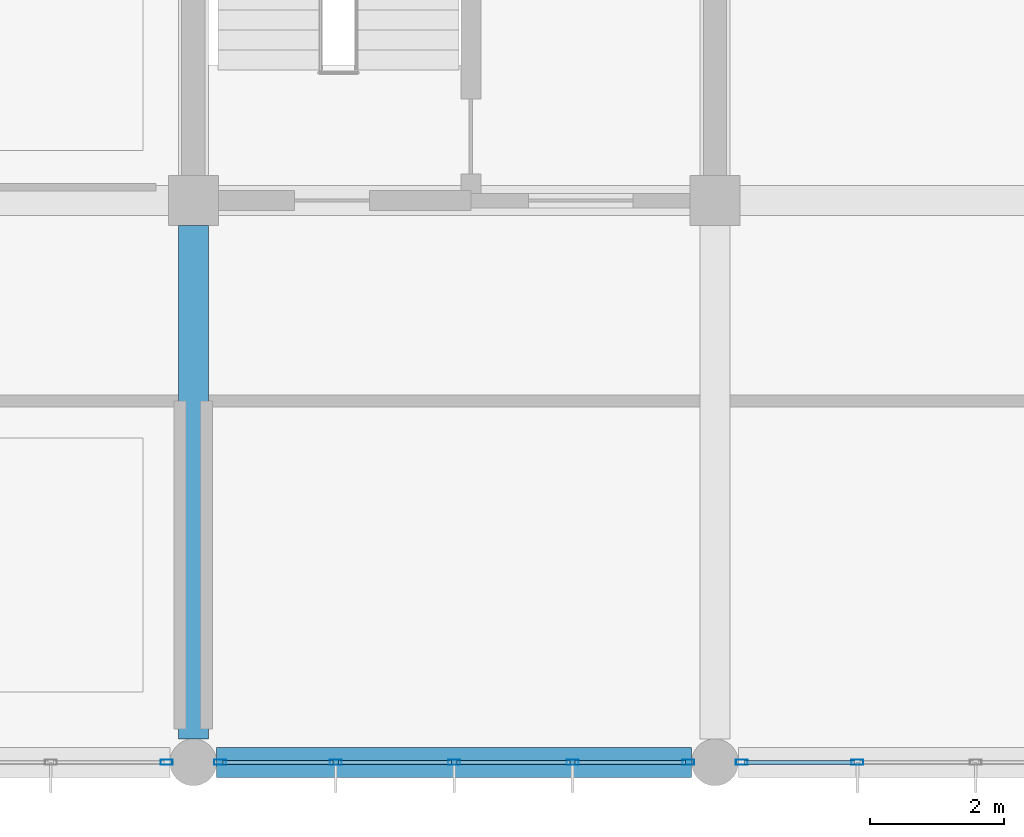
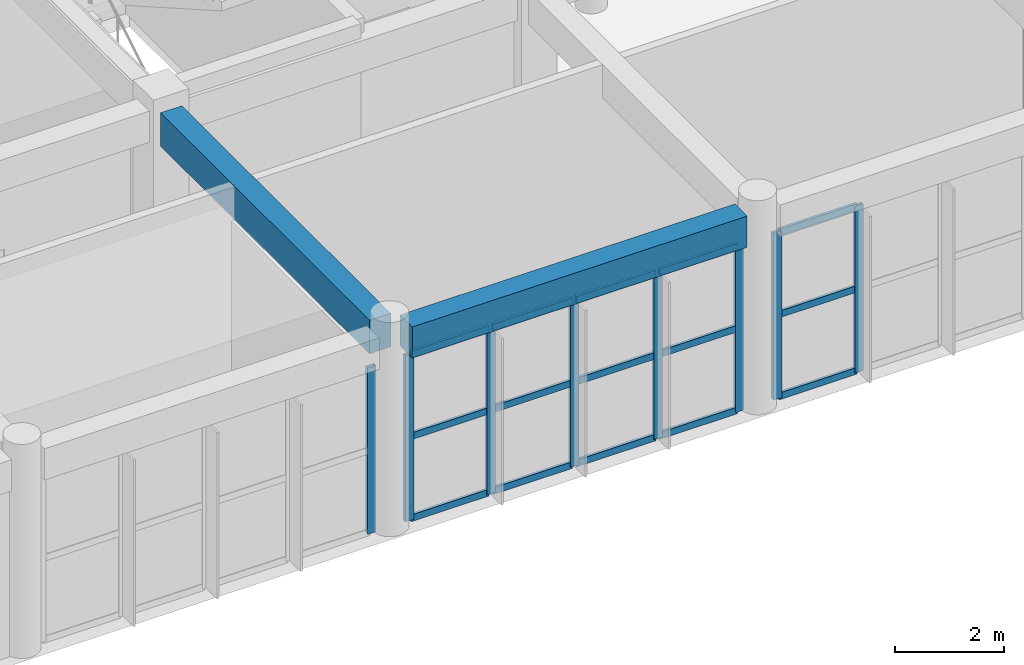
# One storey, part 30 of 167: 23 members, 2 beams, 3 elements without a shape of their own.
"""IFC4 building model written with IfcOpenShell, lengths in metres."""

from ifc_helpers import new_model, si_unit, direction, frame, origin, origin_2d, place, context, subcontext, project, spatial, rectangle, hollow_rectangle, extrude, material, layer, layer_set, material_profile, profile_set, type_object, element, aggregate, save


model = new_model("IFC4")

# Units and contexts
model_context = context("Model", 3, precision=1e-05, world=origin(), true_north=direction((0.0, 1.0)))
body_context = subcontext(model_context, "Body", "Model", "MODEL_VIEW")
ifc_project = project(units=[si_unit("LENGTHUNIT", "METRE"), si_unit("AREAUNIT", "SQUARE_METRE"), si_unit("VOLUMEUNIT", "CUBIC_METRE"), si_unit("PLANEANGLEUNIT", "RADIAN"), si_unit("MASSUNIT", "GRAM", prefix="KILO")], contexts=[model_context])

# Site, building, storey
site_placement = place(None, origin())
site = spatial("IfcSite", under=ifc_project, at=site_placement, CompositionType="ELEMENT")
building_placement = place(site_placement, origin())
building = spatial("IfcBuilding", under=site, at=building_placement, Name="Zizhar Promenade General Hospital", CompositionType="ELEMENT")
storey_placement = place(building_placement, frame((0.0, 0.0, 9.60009765625)))
storey = spatial("IfcBuildingStorey", under=building, at=storey_placement, Name="L02", CompositionType="ELEMENT", Elevation=9.60009765625)

# Beams
ifc_material_1 = material(Name="Concrete C35/45", Category="concrete")
ifc_material_profile_1 = material_profile(ifc_material_1, rectangle(XDim=0.449951171875, YDim=0.699951171875, at=origin_2d()))
ifc_profile_set_1 = profile_set([ifc_material_profile_1], Name="Concrete C35/45")
beam_type_1 = type_object("IfcBeamType", Name="BM-RC-450x700", PredefinedType="BEAM", material=ifc_profile_set_1)
beam_1_placement = place(storey_placement, frame((93.949951171875, 0.0, 4.119873046875), z_axis=(1.0, 0.0, 0.0), x_axis=(0.0, 1.0, 0.0)))
element("IfcBeam", 1, at=beam_1_placement, inside=storey, type_object=beam_type_1, Name="Grid Beam X L02 (12-0)", PredefinedType="BEAM", context=body_context, shape_type="SweptSolid", body=[
    extrude(rectangle(XDim=0.449951171875, YDim=0.699951171875, at=origin_2d()), origin(), (0.0, 0.0, 1.0), 7.10009765625),
])
ifc_material_2 = material(Name="Concrete C35/45", Category="concrete")
ifc_material_profile_2 = material_profile(ifc_material_2, rectangle(XDim=0.449951171875, YDim=0.75, at=origin_2d()))
ifc_profile_set_2 = profile_set([ifc_material_profile_2], Name="Concrete C35/45")
beam_type_2 = type_object("IfcBeamType", Name="BM-RC-450x750", PredefinedType="BEAM", material=ifc_profile_set_2)
beam_2_placement = place(storey_placement, frame((93.60009765625, 0.35009765625, 4.094970703125), z_axis=(0.0, 1.0, 0.0), x_axis=(-1.0, 0.0, 0.0)))
element("IfcBeam", 2, at=beam_2_placement, inside=storey, type_object=beam_type_2, Name="Grid Beam Y L02 (12-0)", PredefinedType="BEAM", context=body_context, shape_type="SweptSolid", body=[
    extrude(rectangle(XDim=0.449951171875, YDim=0.75, at=origin_2d()), origin(), (0.0, 0.0, 1.0), 7.6748046875),
])

# Curtain wall, member
ifc_material_3 = material(Name="Anodised aluminium 6063-T6 and low-E glass", Category="aluminium")
ifc_layer = layer(ifc_material_3, 0.159912109375)
ifc_layer_set = layer_set([ifc_layer], Name="Anodised aluminium 6063-T6 and low-E glass")
curtain_wall_type = type_object("IfcCurtainWallType", Name="CW-DT-MOD1", PredefinedType="NOTDEFINED", material=ifc_layer_set)
curtain_wall_1_placement = place(storey_placement, origin())
curtain_wall_1 = element("IfcCurtainWall", 3, at=curtain_wall_1_placement, inside=storey, type_object=curtain_wall_type, Name="Riverfront Clinical Curtain Wall L02-10", PredefinedType="NOTDEFINED")
ifc_material_4 = material(Name="Anodised aluminium 6063-T6", Category="aluminium")
ifc_material_profile_3 = material_profile(ifc_material_4, hollow_rectangle(XDim=0.080078125, YDim=0.179931640625, WallThickness=0.0048828125, at=origin_2d()))
ifc_profile_set_3 = profile_set([ifc_material_profile_3], Name="Anodised aluminium 6063-T6")
member_type_1 = type_object("IfcMemberType", Name="CWM-ALU-180x80", PredefinedType="MULLION", material=ifc_profile_set_3)
member_1_placement = place(storey_placement, frame((93.199951171875, 0.0, 0.0), z_axis=(0.0, 0.0, 1.0), x_axis=(0.0, -1.0, 0.0)))
member_1 = element("IfcMember", 4, at=member_1_placement, type_object=member_type_1, Name="CW-07 mullion 1", PredefinedType="MULLION", context=body_context, shape_type="SweptSolid", body=[
    extrude(hollow_rectangle(XDim=0.080078125, YDim=0.179931640625, WallThickness=0.0048828125, at=origin_2d()), origin(), (0.0, 0.0, 1.0), 3.72998046875),
])
aggregate(curtain_wall_1, [member_1])

# Curtain wall, members
curtain_wall_2_placement = place(storey_placement, origin())
curtain_wall_2 = element("IfcCurtainWall", 5, at=curtain_wall_2_placement, inside=storey, type_object=curtain_wall_type, Name="Riverfront Clinical Curtain Wall L02-11", PredefinedType="NOTDEFINED")
member_2_placement = place(storey_placement, frame((101.0, 0.0, 0.0), z_axis=(0.0, 0.0, 1.0), x_axis=(0.0, -1.0, 0.0)))
member_2 = element("IfcMember", 6, at=member_2_placement, type_object=member_type_1, Name="CW-07 mullion 1", PredefinedType="MULLION", context=body_context, shape_type="SweptSolid", body=[
    extrude(hollow_rectangle(XDim=0.080078125, YDim=0.179931640625, WallThickness=0.0048828125, at=origin_2d()), origin(), (0.0, 0.0, 1.0), 3.72998046875),
])
member_3_placement = place(storey_placement, frame((99.27001953125, 0.0, 0.0), z_axis=(0.0, 0.0, 1.0), x_axis=(0.0, -1.0, 0.0)))
member_3 = element("IfcMember", 7, at=member_3_placement, type_object=member_type_1, Name="CW-07 mullion 2", PredefinedType="MULLION", context=body_context, shape_type="SweptSolid", body=[
    extrude(hollow_rectangle(XDim=0.080078125, YDim=0.179931640625, WallThickness=0.0048828125, at=origin_2d()), origin(), (0.0, 0.0, 1.0), 3.72998046875),
])
member_4_placement = place(storey_placement, frame((97.5, 0.0, 0.0), z_axis=(0.0, 0.0, 1.0), x_axis=(0.0, -1.0, 0.0)))
member_4 = element("IfcMember", 8, at=member_4_placement, type_object=member_type_1, Name="CW-07 mullion 3", PredefinedType="MULLION", context=body_context, shape_type="SweptSolid", body=[
    extrude(hollow_rectangle(XDim=0.080078125, YDim=0.179931640625, WallThickness=0.0048828125, at=origin_2d()), origin(), (0.0, 0.0, 1.0), 3.72998046875),
])
member_5_placement = place(storey_placement, frame((95.72998046875, 0.0, 0.0), z_axis=(0.0, 0.0, 1.0), x_axis=(0.0, -1.0, 0.0)))
member_5 = element("IfcMember", 9, at=member_5_placement, type_object=member_type_1, Name="CW-07 mullion 4", PredefinedType="MULLION", context=body_context, shape_type="SweptSolid", body=[
    extrude(hollow_rectangle(XDim=0.080078125, YDim=0.179931640625, WallThickness=0.0048828125, at=origin_2d()), origin(), (0.0, 0.0, 1.0), 3.72998046875),
])
member_6_placement = place(storey_placement, frame((94.0, 0.0, 0.0), z_axis=(0.0, 0.0, 1.0), x_axis=(0.0, -1.0, 0.0)))
member_6 = element("IfcMember", 10, at=member_6_placement, type_object=member_type_1, Name="CW-07 mullion 5", PredefinedType="MULLION", context=body_context, shape_type="SweptSolid", body=[
    extrude(hollow_rectangle(XDim=0.080078125, YDim=0.179931640625, WallThickness=0.0048828125, at=origin_2d()), origin(), (0.0, 0.0, 1.0), 3.72998046875),
])

curtain_wall_3_placement = place(storey_placement, origin())
curtain_wall_3 = element("IfcCurtainWall", 11, at=curtain_wall_3_placement, inside=storey, type_object=curtain_wall_type, Name="Riverfront Clinical Curtain Wall L02-12", PredefinedType="NOTDEFINED")
member_7_placement = place(storey_placement, frame((103.530029296875, 0.0, 0.0), z_axis=(0.0, 0.0, 1.0), x_axis=(0.0, -1.0, 0.0)))
member_7 = element("IfcMember", 12, at=member_7_placement, type_object=member_type_1, Name="CW-07 mullion 4", PredefinedType="MULLION", context=body_context, shape_type="SweptSolid", body=[
    extrude(hollow_rectangle(XDim=0.080078125, YDim=0.179931640625, WallThickness=0.0048828125, at=origin_2d()), origin(), (0.0, 0.0, 1.0), 3.72998046875),
])
member_8_placement = place(storey_placement, frame((101.800048828125, 0.0, 0.0), z_axis=(0.0, 0.0, 1.0), x_axis=(0.0, -1.0, 0.0)))
member_8 = element("IfcMember", 13, at=member_8_placement, type_object=member_type_1, Name="CW-07 mullion 5", PredefinedType="MULLION", context=body_context, shape_type="SweptSolid", body=[
    extrude(hollow_rectangle(XDim=0.080078125, YDim=0.179931640625, WallThickness=0.0048828125, at=origin_2d()), origin(), (0.0, 0.0, 1.0), 3.72998046875),
])

# Member
ifc_material_5 = material(Name="Anodised aluminium 6063-T6", Category="aluminium")
ifc_material_profile_4 = material_profile(ifc_material_5, hollow_rectangle(XDim=0.06005859375, YDim=0.14990234375, WallThickness=0.00390625, at=origin_2d()))
ifc_profile_set_4 = profile_set([ifc_material_profile_4], Name="Anodised aluminium 6063-T6")
member_type_2 = type_object("IfcMemberType", Name="CWT-ALU-150x60", PredefinedType="USERDEFINED", material=ifc_profile_set_4)
member_9_placement = place(storey_placement, frame((100.9599609375, 0.0, 0.02978515625), z_axis=(-1.0, 0.0, 0.0), x_axis=(0.0, -1.0, 0.0)))
member_9 = element("IfcMember", 14, at=member_9_placement, type_object=member_type_2, Name="CW-07 transom 1.1", ObjectType="TRANSOM", PredefinedType="USERDEFINED", context=body_context, shape_type="SweptSolid", body=[
    extrude(hollow_rectangle(XDim=0.06005859375, YDim=0.14990234375, WallThickness=0.00390625, at=origin_2d()), origin(), (0.0, 0.0, 1.0), 1.64990234375),
])

member_10_placement = place(storey_placement, frame((100.9599609375, 0.0, 1.864990234375), z_axis=(-1.0, 0.0, 0.0), x_axis=(0.0, -1.0, 0.0)))
member_10 = element("IfcMember", 15, at=member_10_placement, type_object=member_type_2, Name="CW-07 transom 1.2", ObjectType="TRANSOM", PredefinedType="USERDEFINED", context=body_context, shape_type="SweptSolid", body=[
    extrude(hollow_rectangle(XDim=0.06005859375, YDim=0.14990234375, WallThickness=0.00390625, at=origin_2d()), origin(), (0.0, 0.0, 1.0), 1.64990234375),
])

member_11_placement = place(storey_placement, frame((100.9599609375, 0.0, 3.699951171875), z_axis=(-1.0, 0.0, 0.0), x_axis=(0.0, -1.0, 0.0)))
member_11 = element("IfcMember", 16, at=member_11_placement, type_object=member_type_2, Name="CW-07 transom 1.3", ObjectType="TRANSOM", PredefinedType="USERDEFINED", context=body_context, shape_type="SweptSolid", body=[
    extrude(hollow_rectangle(XDim=0.06005859375, YDim=0.14990234375, WallThickness=0.00390625, at=origin_2d()), origin(), (0.0, 0.0, 1.0), 1.64990234375),
])

member_12_placement = place(storey_placement, frame((99.22998046875, 0.0, 0.02978515625), z_axis=(-1.0, 0.0, 0.0), x_axis=(0.0, -1.0, 0.0)))
member_12 = element("IfcMember", 17, at=member_12_placement, type_object=member_type_2, Name="CW-07 transom 2.1", ObjectType="TRANSOM", PredefinedType="USERDEFINED", context=body_context, shape_type="SweptSolid", body=[
    extrude(hollow_rectangle(XDim=0.06005859375, YDim=0.14990234375, WallThickness=0.00390625, at=origin_2d()), origin(), (0.0, 0.0, 1.0), 1.68994140625),
])

member_13_placement = place(storey_placement, frame((99.22998046875, 0.0, 1.864990234375), z_axis=(-1.0, 0.0, 0.0), x_axis=(0.0, -1.0, 0.0)))
member_13 = element("IfcMember", 18, at=member_13_placement, type_object=member_type_2, Name="CW-07 transom 2.2", ObjectType="TRANSOM", PredefinedType="USERDEFINED", context=body_context, shape_type="SweptSolid", body=[
    extrude(hollow_rectangle(XDim=0.06005859375, YDim=0.14990234375, WallThickness=0.00390625, at=origin_2d()), origin(), (0.0, 0.0, 1.0), 1.68994140625),
])

member_14_placement = place(storey_placement, frame((99.22998046875, 0.0, 3.699951171875), z_axis=(-1.0, 0.0, 0.0), x_axis=(0.0, -1.0, 0.0)))
member_14 = element("IfcMember", 19, at=member_14_placement, type_object=member_type_2, Name="CW-07 transom 2.3", ObjectType="TRANSOM", PredefinedType="USERDEFINED", context=body_context, shape_type="SweptSolid", body=[
    extrude(hollow_rectangle(XDim=0.06005859375, YDim=0.14990234375, WallThickness=0.00390625, at=origin_2d()), origin(), (0.0, 0.0, 1.0), 1.68994140625),
])

member_15_placement = place(storey_placement, frame((97.4599609375, 0.0, 0.02978515625), z_axis=(-1.0, 0.0, 0.0), x_axis=(0.0, -1.0, 0.0)))
member_15 = element("IfcMember", 20, at=member_15_placement, type_object=member_type_2, Name="CW-07 transom 3.1", ObjectType="TRANSOM", PredefinedType="USERDEFINED", context=body_context, shape_type="SweptSolid", body=[
    extrude(hollow_rectangle(XDim=0.06005859375, YDim=0.14990234375, WallThickness=0.00390625, at=origin_2d()), origin(), (0.0, 0.0, 1.0), 1.68994140625),
])

member_16_placement = place(storey_placement, frame((97.4599609375, 0.0, 1.864990234375), z_axis=(-1.0, 0.0, 0.0), x_axis=(0.0, -1.0, 0.0)))
member_16 = element("IfcMember", 21, at=member_16_placement, type_object=member_type_2, Name="CW-07 transom 3.2", ObjectType="TRANSOM", PredefinedType="USERDEFINED", context=body_context, shape_type="SweptSolid", body=[
    extrude(hollow_rectangle(XDim=0.06005859375, YDim=0.14990234375, WallThickness=0.00390625, at=origin_2d()), origin(), (0.0, 0.0, 1.0), 1.68994140625),
])

member_17_placement = place(storey_placement, frame((97.4599609375, 0.0, 3.699951171875), z_axis=(-1.0, 0.0, 0.0), x_axis=(0.0, -1.0, 0.0)))
member_17 = element("IfcMember", 22, at=member_17_placement, type_object=member_type_2, Name="CW-07 transom 3.3", ObjectType="TRANSOM", PredefinedType="USERDEFINED", context=body_context, shape_type="SweptSolid", body=[
    extrude(hollow_rectangle(XDim=0.06005859375, YDim=0.14990234375, WallThickness=0.00390625, at=origin_2d()), origin(), (0.0, 0.0, 1.0), 1.68994140625),
])

member_18_placement = place(storey_placement, frame((95.68994140625, 0.0, 0.02978515625), z_axis=(-1.0, 0.0, 0.0), x_axis=(0.0, -1.0, 0.0)))
member_18 = element("IfcMember", 23, at=member_18_placement, type_object=member_type_2, Name="CW-07 transom 4.1", ObjectType="TRANSOM", PredefinedType="USERDEFINED", context=body_context, shape_type="SweptSolid", body=[
    extrude(hollow_rectangle(XDim=0.06005859375, YDim=0.14990234375, WallThickness=0.00390625, at=origin_2d()), origin(), (0.0, 0.0, 1.0), 1.64990234375),
])

member_19_placement = place(storey_placement, frame((95.68994140625, 0.0, 1.864990234375), z_axis=(-1.0, 0.0, 0.0), x_axis=(0.0, -1.0, 0.0)))
member_19 = element("IfcMember", 24, at=member_19_placement, type_object=member_type_2, Name="CW-07 transom 4.2", ObjectType="TRANSOM", PredefinedType="USERDEFINED", context=body_context, shape_type="SweptSolid", body=[
    extrude(hollow_rectangle(XDim=0.06005859375, YDim=0.14990234375, WallThickness=0.00390625, at=origin_2d()), origin(), (0.0, 0.0, 1.0), 1.64990234375),
])

member_20_placement = place(storey_placement, frame((95.68994140625, 0.0, 3.699951171875), z_axis=(-1.0, 0.0, 0.0), x_axis=(0.0, -1.0, 0.0)))
member_20 = element("IfcMember", 25, at=member_20_placement, type_object=member_type_2, Name="CW-07 transom 4.3", ObjectType="TRANSOM", PredefinedType="USERDEFINED", context=body_context, shape_type="SweptSolid", body=[
    extrude(hollow_rectangle(XDim=0.06005859375, YDim=0.14990234375, WallThickness=0.00390625, at=origin_2d()), origin(), (0.0, 0.0, 1.0), 1.64990234375),
])

aggregate(curtain_wall_2, [member_2, member_3, member_4, member_5, member_6, member_9, member_10, member_11, member_12, member_13, member_14, member_15, member_16, member_17, member_18, member_19, member_20])

member_21_placement = place(storey_placement, frame((103.489990234375, 0.0, 0.02978515625), z_axis=(-1.0, 0.0, 0.0), x_axis=(0.0, -1.0, 0.0)))
member_21 = element("IfcMember", 26, at=member_21_placement, type_object=member_type_2, Name="CW-07 transom 4.1", ObjectType="TRANSOM", PredefinedType="USERDEFINED", context=body_context, shape_type="SweptSolid", body=[
    extrude(hollow_rectangle(XDim=0.06005859375, YDim=0.14990234375, WallThickness=0.00390625, at=origin_2d()), origin(), (0.0, 0.0, 1.0), 1.64990234375),
])

member_22_placement = place(storey_placement, frame((103.489990234375, 0.0, 1.864990234375), z_axis=(-1.0, 0.0, 0.0), x_axis=(0.0, -1.0, 0.0)))
member_22 = element("IfcMember", 27, at=member_22_placement, type_object=member_type_2, Name="CW-07 transom 4.2", ObjectType="TRANSOM", PredefinedType="USERDEFINED", context=body_context, shape_type="SweptSolid", body=[
    extrude(hollow_rectangle(XDim=0.06005859375, YDim=0.14990234375, WallThickness=0.00390625, at=origin_2d()), origin(), (0.0, 0.0, 1.0), 1.64990234375),
])

member_23_placement = place(storey_placement, frame((103.489990234375, 0.0, 3.699951171875), z_axis=(-1.0, 0.0, 0.0), x_axis=(0.0, -1.0, 0.0)))
member_23 = element("IfcMember", 28, at=member_23_placement, type_object=member_type_2, Name="CW-07 transom 4.3", ObjectType="TRANSOM", PredefinedType="USERDEFINED", context=body_context, shape_type="SweptSolid", body=[
    extrude(hollow_rectangle(XDim=0.06005859375, YDim=0.14990234375, WallThickness=0.00390625, at=origin_2d()), origin(), (0.0, 0.0, 1.0), 1.64990234375),
])

aggregate(curtain_wall_3, [member_7, member_8, member_21, member_22, member_23])

save(model, "model.ifc")
